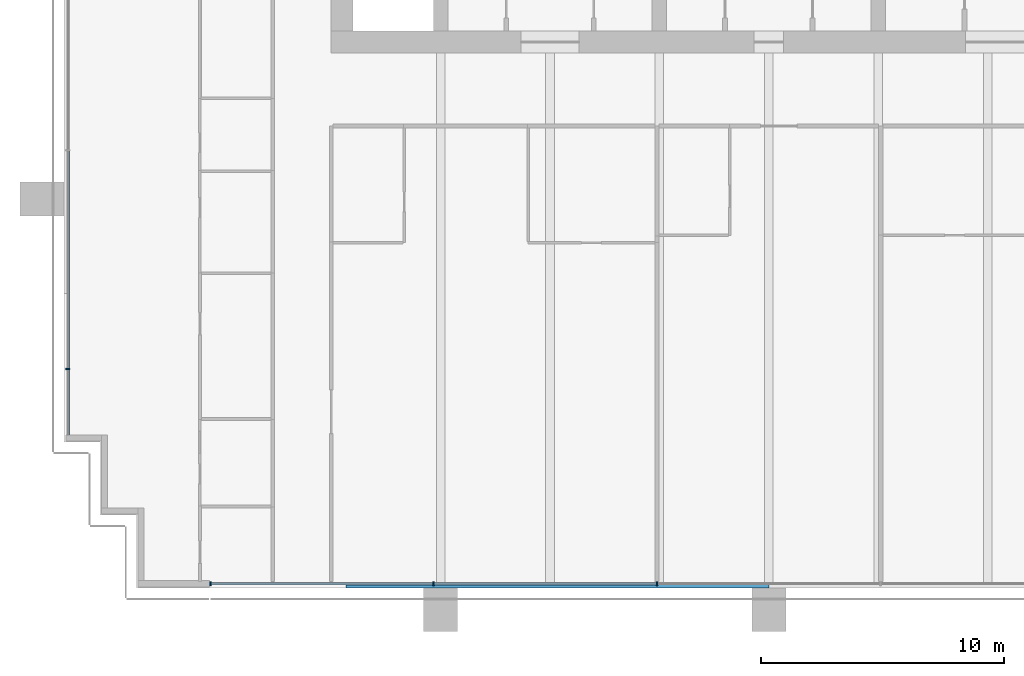
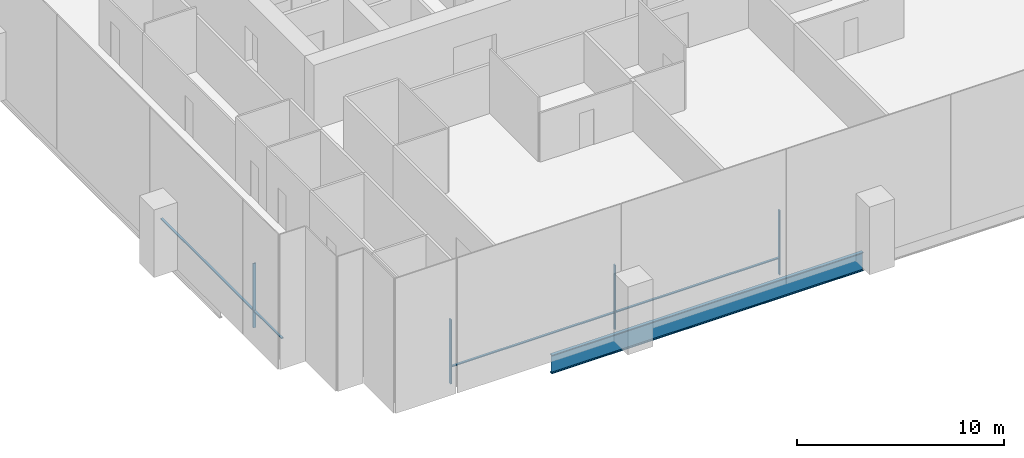
# One storey, part 2 of 17: 8 members, 1 beam, 2 elements without a shape of their own.
"""IFC4 building model written with IfcOpenShell, lengths in metres."""

from ifc_helpers import new_model, si_unit, direction, frame, origin, origin_2d, place, context, subcontext, project, spatial, rectangle, i_section, extrude, material, material_profile, profile_set, type_object, element, aggregate, save


model = new_model("IFC4")

# Units and contexts
model_context = context("Model", 3, precision=1e-05, world=origin(), true_north=direction((0.0, 1.0)))
body_context = subcontext(model_context, "Body", "Model", "MODEL_VIEW")
ifc_project = project(units=[si_unit("LENGTHUNIT", "METRE"), si_unit("AREAUNIT", "SQUARE_METRE"), si_unit("VOLUMEUNIT", "CUBIC_METRE"), si_unit("PLANEANGLEUNIT", "RADIAN"), si_unit("MASSUNIT", "GRAM", prefix="KILO")], contexts=[model_context])

# Site, building, storey
site_placement = place(None, origin())
site = spatial("IfcSite", under=ifc_project, at=site_placement, CompositionType="ELEMENT")
building_placement = place(site_placement, origin())
building = spatial("IfcBuilding", under=site, at=building_placement, Name="Rattan Terrace Tower", CompositionType="ELEMENT")
storey_placement = place(building_placement, frame((0.0, 0.0, 138.10009765625)))
storey = spatial("IfcBuildingStorey", under=building, at=storey_placement, Name="L31", CompositionType="ELEMENT", Elevation=138.10009765625)

# Curtain wall, member
ifc_material_1 = material(Name="Aluminium and glass", Category="aluminium")
curtain_wall_type = type_object("IfcCurtainWallType", Name="Facade Unitised Curtain Wall", PredefinedType="NOTDEFINED", material=ifc_material_1)
curtain_wall_1_placement = place(storey_placement, origin())
curtain_wall_1 = element("IfcCurtainWall", 1, at=curtain_wall_1_placement, inside=storey, type_object=curtain_wall_type, Name="Curtain wall L31-3", PredefinedType="NOTDEFINED")
ifc_material_2 = material(Name="Aluminium", Category="aluminium")
ifc_material_profile_1 = material_profile(ifc_material_2, rectangle(XDim=0.06005859375, YDim=0.159912109375, at=origin_2d()), Name="Aluminium 60x160")
ifc_profile_set_1 = profile_set([ifc_material_profile_1], Name="Aluminium")
member_type_1 = type_object("IfcMemberType", Name="Facade CW Mullion 60x160", PredefinedType="MULLION", material=ifc_profile_set_1)
member_1_placement = place(storey_placement, frame((-28.830078125, -20.5, 0.0), z_axis=(0.0, 0.0, 1.0), x_axis=(0.0, -1.0, 0.0)))
member_1 = element("IfcMember", 2, at=member_1_placement, type_object=member_type_1, Name="Mullion cwl-L31-003.4", PredefinedType="MULLION", context=body_context, shape_type="SweptSolid", body=[
    extrude(rectangle(XDim=0.06005859375, YDim=0.159912109375, at=origin_2d()), origin(), (0.0, 0.0, 1.0), 3.7998046875),
])

# Curtain wall, members
curtain_wall_2_placement = place(storey_placement, origin())
curtain_wall_2 = element("IfcCurtainWall", 3, at=curtain_wall_2_placement, inside=storey, type_object=curtain_wall_type, Name="Curtain wall L31-4", PredefinedType="NOTDEFINED")
member_2_placement = place(storey_placement, frame((-22.969970703125, -29.330078125, 0.0), z_axis=(0.0, 0.0, 1.0), x_axis=(1.0, 0.0, 0.0)))
member_2 = element("IfcMember", 4, at=member_2_placement, type_object=member_type_1, Name="Mullion cwl-L31-004.1", PredefinedType="MULLION", context=body_context, shape_type="SweptSolid", body=[
    extrude(rectangle(XDim=0.06005859375, YDim=0.159912109375, at=origin_2d()), origin(), (0.0, 0.0, 1.0), 3.7998046875),
])
member_3_placement = place(storey_placement, frame((-13.799072265625, -29.330078125, 0.0), z_axis=(0.0, 0.0, 1.0), x_axis=(1.0, 0.0, 0.0)))
member_3 = element("IfcMember", 5, at=member_3_placement, type_object=member_type_1, Name="Mullion cwl-L31-004.2", PredefinedType="MULLION", context=body_context, shape_type="SweptSolid", body=[
    extrude(rectangle(XDim=0.06005859375, YDim=0.159912109375, at=origin_2d()), origin(), (0.0, 0.0, 1.0), 3.7998046875),
])
member_4_placement = place(storey_placement, frame((-4.597900390625, -29.330078125, 0.0), z_axis=(0.0, 0.0, 1.0), x_axis=(1.0, 0.0, 0.0)))
member_4 = element("IfcMember", 6, at=member_4_placement, type_object=member_type_1, Name="Mullion cwl-L31-004.3", PredefinedType="MULLION", context=body_context, shape_type="SweptSolid", body=[
    extrude(rectangle(XDim=0.06005859375, YDim=0.159912109375, at=origin_2d()), origin(), (0.0, 0.0, 1.0), 3.7998046875),
])

# Member
ifc_material_3 = material(Name="Aluminium", Category="aluminium")
ifc_material_profile_2 = material_profile(ifc_material_3, rectangle(XDim=0.1201171875, YDim=0.06005859375, at=origin_2d()), Name="Aluminium 120x60")
ifc_profile_set_2 = profile_set([ifc_material_profile_2], Name="Aluminium")
member_type_2 = type_object("IfcMemberType", Name="Facade CW Transom 120x60", PredefinedType="USERDEFINED", material=ifc_profile_set_2)
member_5_placement = place(storey_placement, frame((-28.830078125, -11.530029296875, 1.0), z_axis=(0.0, -1.0, 0.0), x_axis=(1.0, 0.0, 0.0)))
member_5 = element("IfcMember", 7, at=member_5_placement, type_object=member_type_2, Name="Transom cwl-L31-003.3", ObjectType="TRANSOM", PredefinedType="USERDEFINED", context=body_context, shape_type="SweptSolid", body=[
    extrude(rectangle(XDim=0.1201171875, YDim=0.06005859375, at=origin_2d()), origin(), (0.0, 0.0, 1.0), 8.93994140625),
])

member_6_placement = place(storey_placement, frame((-28.830078125, -20.530029296875, 1.0), z_axis=(0.0, -1.0, 0.0), x_axis=(1.0, 0.0, 0.0)))
member_6 = element("IfcMember", 8, at=member_6_placement, type_object=member_type_2, Name="Transom cwl-L31-003.4", ObjectType="TRANSOM", PredefinedType="USERDEFINED", context=body_context, shape_type="SweptSolid", body=[
    extrude(rectangle(XDim=0.1201171875, YDim=0.06005859375, at=origin_2d()), origin(), (0.0, 0.0, 1.0), 2.675048828125),
])

aggregate(curtain_wall_1, [member_1, member_5, member_6])

member_7_placement = place(storey_placement, frame((-22.93994140625, -29.330078125, 1.0), z_axis=(1.0, 0.0, 0.0), x_axis=(0.0, 1.0, 0.0)))
member_7 = element("IfcMember", 9, at=member_7_placement, type_object=member_type_2, Name="Transom cwl-L31-004.1", ObjectType="TRANSOM", PredefinedType="USERDEFINED", context=body_context, shape_type="SweptSolid", body=[
    extrude(rectangle(XDim=0.1201171875, YDim=0.06005859375, at=origin_2d()), origin(), (0.0, 0.0, 1.0), 9.11083984375),
])

member_8_placement = place(storey_placement, frame((-13.76904296875, -29.330078125, 1.0), z_axis=(1.0, 0.0, 0.0), x_axis=(0.0, 1.0, 0.0)))
member_8 = element("IfcMember", 10, at=member_8_placement, type_object=member_type_2, Name="Transom cwl-L31-004.2", ObjectType="TRANSOM", PredefinedType="USERDEFINED", context=body_context, shape_type="SweptSolid", body=[
    extrude(rectangle(XDim=0.1201171875, YDim=0.06005859375, at=origin_2d()), origin(), (0.0, 0.0, 1.0), 9.14111328125),
])

aggregate(curtain_wall_2, [member_2, member_3, member_4, member_7, member_8])

# Beam
ifc_material_4 = material(Name="Steel S460", Category="steel")
ifc_material_profile_3 = material_profile(ifc_material_4, i_section(OverallWidth=0.179931640625, OverallDepth=1.10009765625, WebThickness=0.01611328125, FlangeThickness=0.050048828125, at=origin_2d()), Name="PG 1100x180-16-50")
ifc_profile_set_3 = profile_set([ifc_material_profile_3], Name="Steel S460")
beam_type = type_object("IfcBeamType", Name="Frame edge girder PG 1100x180-16-50", PredefinedType="SPANDREL", material=ifc_profile_set_3)
beam_placement = place(storey_placement, frame((-17.39990234375, -29.409912109375, -0.75), z_axis=(1.0, 0.0, 0.0), x_axis=(0.0, 1.0, 0.0)))
element("IfcBeam", 11, at=beam_placement, inside=storey, type_object=beam_type, Name="gdr-L31-001", PredefinedType="SPANDREL", context=body_context, shape_type="SweptSolid", body=[
    extrude(i_section(OverallWidth=0.179931640625, OverallDepth=1.10009765625, WebThickness=0.01611328125, FlangeThickness=0.050048828125, at=origin_2d()), origin(), (0.0, 0.0, 1.0), 17.39990234375),
])

save(model, "model.ifc")
